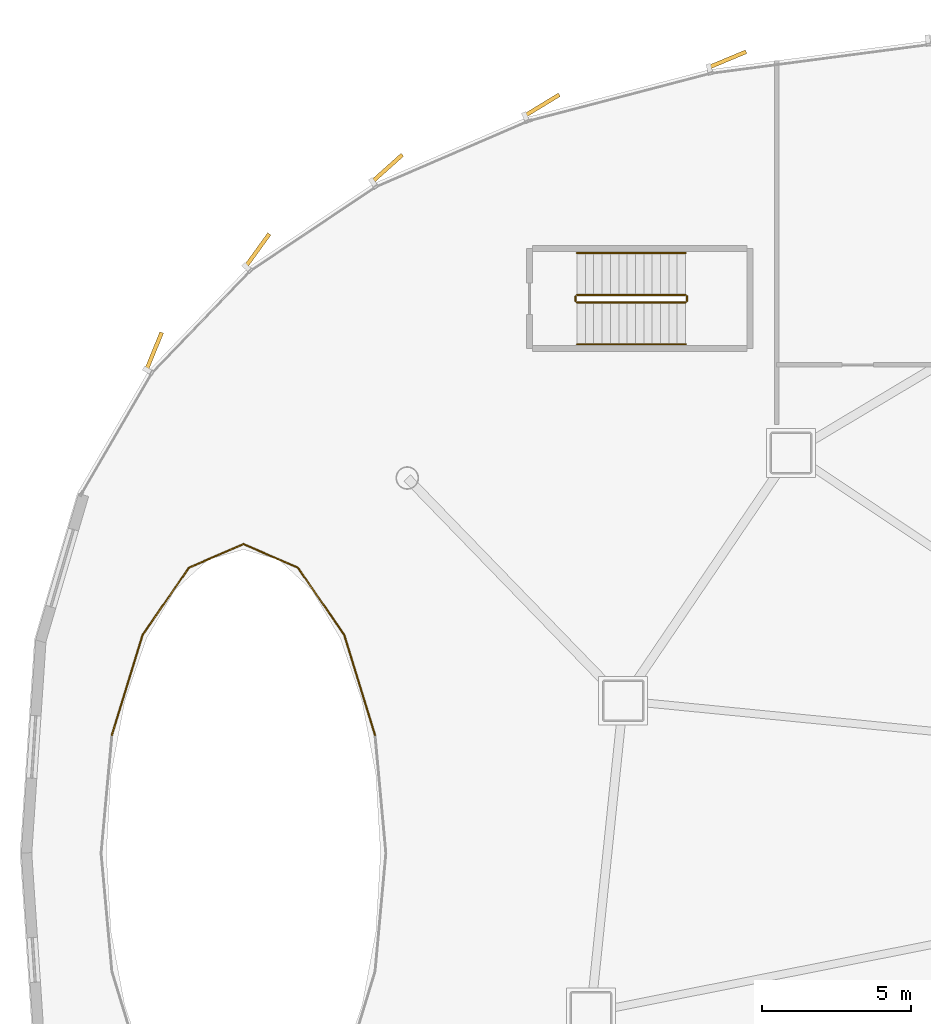
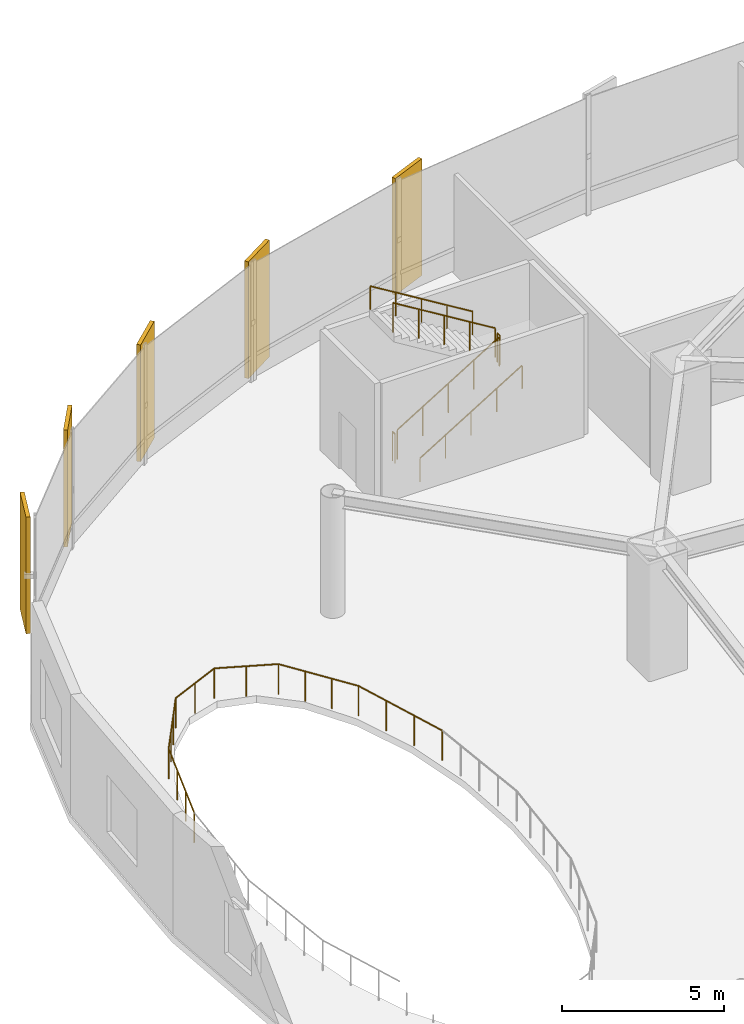
# One storey, part 32 of 34: 12 railings, 5 coverings.
"""IFC4 building model written with IfcOpenShell, lengths in metres."""

from ifc_helpers import new_model, si_unit, direction, frame, origin, origin_2d, place, context, subcontext, project, spatial, rectangle, circle, extrude, source, transform, mapped, material, layer, layer_set, type_object, element, save


model = new_model("IFC4")

# Units and contexts
model_context = context("Model", 3, precision=1e-05, world=origin(), true_north=direction((0.0, 1.0)))
body_context = subcontext(model_context, "Body", "Model", "MODEL_VIEW")
ifc_project = project(units=[si_unit("LENGTHUNIT", "METRE"), si_unit("AREAUNIT", "SQUARE_METRE"), si_unit("VOLUMEUNIT", "CUBIC_METRE"), si_unit("PLANEANGLEUNIT", "RADIAN"), si_unit("MASSUNIT", "GRAM", prefix="KILO"), si_unit("THERMODYNAMICTEMPERATUREUNIT", "KELVIN")], contexts=[model_context])

# Site, building, storey
site_placement = place(None, origin())
site = spatial("IfcSite", under=ifc_project, at=site_placement, CompositionType="ELEMENT")
building_placement = place(site_placement, origin())
building = spatial("IfcBuilding", under=site, at=building_placement, Name="Kethvar Cultural Tower", CompositionType="ELEMENT")
storey_placement = place(building_placement, frame((0.0, 0.0, 14.800048828125)))
storey = spatial("IfcBuildingStorey", under=building, at=storey_placement, Name="L03", CompositionType="ELEMENT", Elevation=14.800048828125)

# Railings
ifc_material_1 = material(Name="Steel S355J2", Category="steel")
railing_type_1 = type_object("IfcRailingType", Name="RL-INT-ATRIUM-1150", PredefinedType="BALUSTRADE", material=ifc_material_1)
railing_1_placement = place(storey_placement, frame((12.716064453125, 31.772216796875, 0.0)))
element("IfcRailing", 1, at=railing_1_placement, inside=storey, type_object=railing_type_1, Name="L03 Atrium Void Balustrade 02", PredefinedType="BALUSTRADE", context=body_context, shape_type="SweptSolid", body=[
    extrude(circle(Radius=0.02392578125, at=origin_2d()), frame((0.0, 0.0, 1.1259765625), z_axis=(-0.294066372694, 0.955785001164, 0.0), x_axis=(-0.955785001164, -0.294066372694, 0.0)), (0.0, 0.0, 1.0), 3.5234375),
    extrude(circle(Radius=0.02099609375, at=origin_2d()), origin(), (0.0, 0.0, 1.0), 1.101806640625),
    extrude(circle(Radius=0.02099609375, at=origin_2d()), frame((-0.345458984375, 1.12255859375, 0.0)), (0.0, 0.0, 1.0), 1.101806640625),
    extrude(circle(Radius=0.02099609375, at=origin_2d()), frame((-0.690673828125, 2.2451171875, 0.0)), (0.0, 0.0, 1.0), 1.101806640625),
    extrude(circle(Radius=0.02099609375, at=origin_2d()), frame((-1.0361328125, 3.36767578125, 0.0)), (0.0, 0.0, 1.0), 1.101806640625),
])
railing_2_placement = place(storey_placement, frame((11.679931640625, 35.139892578125, 0.0)))
element("IfcRailing", 2, at=railing_2_placement, inside=storey, type_object=railing_type_1, Name="L03 Atrium Void Balustrade 03", PredefinedType="BALUSTRADE", context=body_context, shape_type="SweptSolid", body=[
    extrude(circle(Radius=0.02392578125, at=origin_2d()), frame((0.0, 0.0, 1.1259765625), z_axis=(-0.567499103601, 0.823374014293, 0.0), x_axis=(-0.823374014293, -0.567499103601, 0.0)), (0.0, 0.0, 1.0), 2.732666015625),
    extrude(circle(Radius=0.02099609375, at=origin_2d()), origin(), (0.0, 0.0, 1.0), 1.101806640625),
    extrude(circle(Radius=0.02099609375, at=origin_2d()), frame((-0.516845703125, 0.75, 0.0)), (0.0, 0.0, 1.0), 1.101806640625),
    extrude(circle(Radius=0.02099609375, at=origin_2d()), frame((-1.033935546875, 1.5, 0.0)), (0.0, 0.0, 1.0), 1.101806640625),
    extrude(circle(Radius=0.02099609375, at=origin_2d()), frame((-1.55078125, 2.25, 0.0)), (0.0, 0.0, 1.0), 1.101806640625),
])
railing_3_placement = place(storey_placement, frame((10.129150390625, 37.389892578125, 0.0)))
element("IfcRailing", 3, at=railing_3_placement, inside=storey, type_object=railing_type_1, Name="L03 Atrium Void Balustrade 04", PredefinedType="BALUSTRADE", context=body_context, shape_type="SweptSolid", body=[
    extrude(circle(Radius=0.02392578125, at=origin_2d()), frame((0.0, 0.0, 1.1259765625), z_axis=(-0.918025861463, 0.396520513574, 0.0), x_axis=(-0.396520513574, -0.918025861463, 0.0)), (0.0, 0.0, 1.0), 1.992431640625),
    extrude(circle(Radius=0.02099609375, at=origin_2d()), origin(), (0.0, 0.0, 1.0), 1.101806640625),
    extrude(circle(Radius=0.02099609375, at=origin_2d()), frame((-0.91455078125, 0.39501953125, 0.0)), (0.0, 0.0, 1.0), 1.101806640625),
    extrude(circle(Radius=0.02099609375, at=origin_2d()), frame((-1.8291015625, 0.7900390625, 0.0)), (0.0, 0.0, 1.0), 1.101806640625),
])
railing_4_placement = place(storey_placement, frame((8.300048828125, 38.179931640625, 0.0)))
element("IfcRailing", 4, at=railing_4_placement, inside=storey, type_object=railing_type_1, Name="L03 Atrium Void Balustrade 05", PredefinedType="BALUSTRADE", context=body_context, shape_type="SweptSolid", body=[
    extrude(circle(Radius=0.02392578125, at=origin_2d()), frame((0.0, 0.0, 1.1259765625), z_axis=(-0.918045124076, -0.396475913721, 0.0), x_axis=(0.396475913721, -0.918045124076, 0.0)), (0.0, 0.0, 1.0), 1.99267578125),
    extrude(circle(Radius=0.02099609375, at=origin_2d()), origin(), (0.0, 0.0, 1.0), 1.101806640625),
    extrude(circle(Radius=0.02099609375, at=origin_2d()), frame((-0.91455078125, -0.39501953125, 0.0)), (0.0, 0.0, 1.0), 1.101806640625),
    extrude(circle(Radius=0.02099609375, at=origin_2d()), frame((-1.829345703125, -0.7900390625, 0.0)), (0.0, 0.0, 1.0), 1.101806640625),
])
railing_5_placement = place(storey_placement, frame((6.470703125, 37.389892578125, 0.0)))
element("IfcRailing", 5, at=railing_5_placement, inside=storey, type_object=railing_type_1, Name="L03 Atrium Void Balustrade 06", PredefinedType="BALUSTRADE", context=body_context, shape_type="SweptSolid", body=[
    extrude(circle(Radius=0.02392578125, at=origin_2d()), frame((0.0, 0.0, 1.1259765625), z_axis=(-0.567499103601, -0.823374014293, 0.0), x_axis=(0.823374014293, -0.567499103601, 0.0)), (0.0, 0.0, 1.0), 2.732666015625),
    extrude(circle(Radius=0.02099609375, at=origin_2d()), origin(), (0.0, 0.0, 1.0), 1.101806640625),
    extrude(circle(Radius=0.02099609375, at=origin_2d()), frame((-0.516845703125, -0.75, 0.0)), (0.0, 0.0, 1.0), 1.101806640625),
    extrude(circle(Radius=0.02099609375, at=origin_2d()), frame((-1.033935546875, -1.5, 0.0)), (0.0, 0.0, 1.0), 1.101806640625),
    extrude(circle(Radius=0.02099609375, at=origin_2d()), frame((-1.55078125, -2.25, 0.0)), (0.0, 0.0, 1.0), 1.101806640625),
])
railing_6_placement = place(storey_placement, frame((4.919921875, 35.139892578125, 0.0)))
element("IfcRailing", 6, at=railing_6_placement, inside=storey, type_object=railing_type_1, Name="L03 Atrium Void Balustrade 07", PredefinedType="BALUSTRADE", context=body_context, shape_type="SweptSolid", body=[
    extrude(circle(Radius=0.02392578125, at=origin_2d()), frame((0.0, 0.0, 1.1259765625), z_axis=(-0.294066372694, -0.955785001164, 0.0), x_axis=(0.955785001164, -0.294066372694, 0.0)), (0.0, 0.0, 1.0), 3.5234375),
    extrude(circle(Radius=0.02099609375, at=origin_2d()), origin(), (0.0, 0.0, 1.0), 1.101806640625),
    extrude(circle(Radius=0.02099609375, at=origin_2d()), frame((-0.345458984375, -1.12255859375, 0.0)), (0.0, 0.0, 1.0), 1.101806640625),
    extrude(circle(Radius=0.02099609375, at=origin_2d()), frame((-0.690673828125, -2.2451171875, 0.0)), (0.0, 0.0, 1.0), 1.101806640625),
    extrude(circle(Radius=0.02099609375, at=origin_2d()), frame((-1.0361328125, -3.36767578125, 0.0)), (0.0, 0.0, 1.0), 1.101806640625),
])
railing_type_2 = type_object("IfcRailingType", Name="RL-STAIR-GUARD", PredefinedType="BALUSTRADE", material=ifc_material_1)
railing_7_placement = place(storey_placement, frame((19.5, 46.2900390625, 0.17138671875)))
element("IfcRailing", 7, at=railing_7_placement, inside=storey, type_object=railing_type_2, Name="L03 ST-05 stair guard 1", PredefinedType="BALUSTRADE", context=body_context, shape_type="SweptSolid", body=[
    extrude(circle(Radius=0.02392578125, at=origin_2d()), frame((0.0, 0.0, 1.09619140625), z_axis=(0.852850264322, 0.0, 0.5221555579), x_axis=(0.0, 1.0, 0.0)), (0.0, 0.0, 1.0), 4.267822265625),
    extrude(circle(Radius=0.02099609375, at=origin_2d()), origin(), (0.0, 0.0, 1.0), 1.072021484375),
    extrude(circle(Radius=0.02099609375, at=origin_2d()), frame((0.909912109375, 0.0, 0.55712890625)), (0.0, 0.0, 1.0), 1.072021484375),
    extrude(circle(Radius=0.02099609375, at=origin_2d()), frame((1.81982421875, 0.0, 1.1142578125)), (0.0, 0.0, 1.0), 1.072021484375),
    extrude(circle(Radius=0.02099609375, at=origin_2d()), frame((2.72998046875, 0.0, 1.67138671875)), (0.0, 0.0, 1.0), 1.072021484375),
    extrude(circle(Radius=0.02099609375, at=origin_2d()), frame((3.639892578125, 0.0, 2.228515625)), (0.0, 0.0, 1.0), 1.072021484375),
])
railing_8_placement = place(storey_placement, frame((23.18994140625, 46.340087890625, 2.39990234375)))
element("IfcRailing", 8, at=railing_8_placement, inside=storey, type_object=railing_type_2, Name="L03 ST-05 stair guard 2", PredefinedType="BALUSTRADE", context=body_context, shape_type="SweptSolid", body=[
    extrude(circle(Radius=0.02392578125, at=origin_2d()), frame((0.0, 0.0, 1.09619140625), z_axis=(0.0, 1.0, 0.0), x_axis=(-1.0, 0.0, 0.0)), (0.0, 0.0, 1.0), 0.159912109375),
    extrude(circle(Radius=0.02099609375, at=origin_2d()), origin(), (0.0, 0.0, 1.0), 1.072021484375),
    extrude(circle(Radius=0.02099609375, at=origin_2d()), frame((0.0, 0.159912109375, 0.0)), (0.0, 0.0, 1.0), 1.072021484375),
])
railing_9_placement = place(storey_placement, frame((23.139892578125, 46.550048828125, 2.5712890625)))
element("IfcRailing", 9, at=railing_9_placement, inside=storey, type_object=railing_type_2, Name="L03 ST-05 stair guard 3", PredefinedType="BALUSTRADE", context=body_context, shape_type="SweptSolid", body=[
    extrude(circle(Radius=0.02392578125, at=origin_2d()), frame((0.0, 0.0, 1.09619140625), z_axis=(-0.852824790078, 0.0, 0.522197163366), x_axis=(0.0, -1.0, 0.0)), (0.0, 0.0, 1.0), 4.26806640625),
    extrude(circle(Radius=0.02099609375, at=origin_2d()), origin(), (0.0, 0.0, 1.0), 1.072021484375),
    extrude(circle(Radius=0.02099609375, at=origin_2d()), frame((-0.909912109375, 0.0, 0.55712890625)), (0.0, 0.0, 1.0), 1.072021484375),
    extrude(circle(Radius=0.02099609375, at=origin_2d()), frame((-1.81982421875, 0.0, 1.1142578125)), (0.0, 0.0, 1.0), 1.072021484375),
    extrude(circle(Radius=0.02099609375, at=origin_2d()), frame((-2.72998046875, 0.0, 1.671630859375)), (0.0, 0.0, 1.0), 1.072021484375),
    extrude(circle(Radius=0.02099609375, at=origin_2d()), frame((-3.639892578125, 0.0, 2.228759765625)), (0.0, 0.0, 1.0), 1.072021484375),
])
railing_10_placement = place(storey_placement, frame((19.449951171875, 46.340087890625, 0.0)))
element("IfcRailing", 10, at=railing_10_placement, inside=storey, type_object=railing_type_2, Name="L03 ST-05 stair guard 4", PredefinedType="BALUSTRADE", context=body_context, shape_type="SweptSolid", body=[
    extrude(circle(Radius=0.02392578125, at=origin_2d()), frame((0.0, 0.0, 1.09619140625), z_axis=(0.0, 1.0, 0.0), x_axis=(-1.0, 0.0, 0.0)), (0.0, 0.0, 1.0), 0.159912109375),
    extrude(circle(Radius=0.02099609375, at=origin_2d()), origin(), (0.0, 0.0, 1.0), 1.072021484375),
    extrude(circle(Radius=0.02099609375, at=origin_2d()), frame((0.0, 0.159912109375, 0.0)), (0.0, 0.0, 1.0), 1.072021484375),
])
railing_type_3 = type_object("IfcRailingType", Name="RL-STAIR-HANDRAIL", PredefinedType="HANDRAIL", material=ifc_material_1)
railing_11_placement = place(storey_placement, frame((19.5, 44.889892578125, 0.17138671875)))
element("IfcRailing", 11, at=railing_11_placement, inside=storey, type_object=railing_type_3, Name="L03 ST-05 stair handrail 1", PredefinedType="HANDRAIL", context=body_context, shape_type="SweptSolid", body=[
    extrude(circle(Radius=0.02392578125, at=origin_2d()), frame((0.0, 0.0, 0.8759765625), z_axis=(0.852850264322, 0.0, 0.5221555579), x_axis=(0.0, 1.0, 0.0)), (0.0, 0.0, 1.0), 4.267822265625),
    extrude(circle(Radius=0.02099609375, at=origin_2d()), origin(), (0.0, 0.0, 1.0), 0.851806640625),
    extrude(circle(Radius=0.02099609375, at=origin_2d()), frame((0.909912109375, 0.0, 0.55712890625)), (0.0, 0.0, 1.0), 0.851806640625),
    extrude(circle(Radius=0.02099609375, at=origin_2d()), frame((1.81982421875, 0.0, 1.1142578125)), (0.0, 0.0, 1.0), 0.851806640625),
    extrude(circle(Radius=0.02099609375, at=origin_2d()), frame((2.72998046875, 0.0, 1.67138671875)), (0.0, 0.0, 1.0), 0.851806640625),
    extrude(circle(Radius=0.02099609375, at=origin_2d()), frame((3.639892578125, 0.0, 2.228515625)), (0.0, 0.0, 1.0), 0.851806640625),
])
railing_12_placement = place(storey_placement, frame((23.139892578125, 47.949951171875, 2.5712890625)))
element("IfcRailing", 12, at=railing_12_placement, inside=storey, type_object=railing_type_3, Name="L03 ST-05 stair handrail 2", PredefinedType="HANDRAIL", context=body_context, shape_type="SweptSolid", body=[
    extrude(circle(Radius=0.02392578125, at=origin_2d()), frame((0.0, 0.0, 0.8759765625), z_axis=(-0.852824790078, 0.0, 0.522197163366), x_axis=(0.0, -1.0, 0.0)), (0.0, 0.0, 1.0), 4.26806640625),
    extrude(circle(Radius=0.02099609375, at=origin_2d()), origin(), (0.0, 0.0, 1.0), 0.851806640625),
    extrude(circle(Radius=0.02099609375, at=origin_2d()), frame((-0.909912109375, 0.0, 0.55712890625)), (0.0, 0.0, 1.0), 0.851806640625),
    extrude(circle(Radius=0.02099609375, at=origin_2d()), frame((-1.81982421875, 0.0, 1.1142578125)), (0.0, 0.0, 1.0), 0.851806640625),
    extrude(circle(Radius=0.02099609375, at=origin_2d()), frame((-2.72998046875, 0.0, 1.671630859375)), (0.0, 0.0, 1.0), 0.851806640625),
    extrude(circle(Radius=0.02099609375, at=origin_2d()), frame((-3.639892578125, 0.0, 2.228759765625)), (0.0, 0.0, 1.0), 0.851806640625),
])

# Coverings
ifc_material_2 = material(Name="Extruded Architectural Terracotta", Category="masonry")
ifc_layer = layer(ifc_material_2, 0.135009765625, Name="Extruded Architectural Terracotta", Category="masonry")
ifc_layer_set = layer_set([ifc_layer], Name="Extruded Architectural Terracotta (135 mm)")
covering_type = type_object("IfcCoveringType", Name="Terracotta Facade Fin FIN-04", PredefinedType="CLADDING", material=ifc_layer_set)
shared_shape = source(origin(), body_context, "Body", "SweptSolid", [
    extrude(rectangle(XDim=1.35009765625, YDim=0.135009765625, at=origin_2d()), origin(), (0.0, 0.0, 1.0), 4.39990234375),
])
for number, where, z_axis, x_axis, name in (
    (13, (24.552734375, 54.447998046875, 0.02001953125), (0.0, 0.0, 1.0), (0.922807277859, 0.385261895248, 0.0), "L03 Vertical Terracotta Fin 2.6"),
    (14, (18.32666015625, 52.914306640625, 0.02001953125), (0.0, 0.0, 1.0), (0.854005138885, 0.520264569962, 0.0), "L03 Vertical Terracotta Fin 3.1"),
    (15, (13.13232421875, 50.800537109375, 0.02001953125), (0.0, 0.0, 1.0), (0.745243290547, 0.66679264985, 0.0), "L03 Vertical Terracotta Fin 3.2"),
    (16, (8.775146484375, 48.048095703125, 0.02001953125), (0.0, 0.0, 1.0), (0.586372356736, 0.810041640446, 0.0), "L03 Vertical Terracotta Fin 3.3"),
    (17, (5.3017578125, 44.658935546875, 0.02001953125), (0.0, 0.0, 1.0), (0.378325519707, 0.925672620929, 0.0), "L03 Vertical Terracotta Fin 3.4"),
):
    element("IfcCovering", number, at=place(storey_placement, frame(where, z_axis=z_axis, x_axis=x_axis)), inside=storey, type_object=covering_type, Name=name, PredefinedType="CLADDING", context=body_context, shape_type="MappedRepresentation", body=[
        mapped(shared_shape, transform((0.0, 0.0, 0.0), scale=1.0)),
    ])

save(model, "model.ifc")
